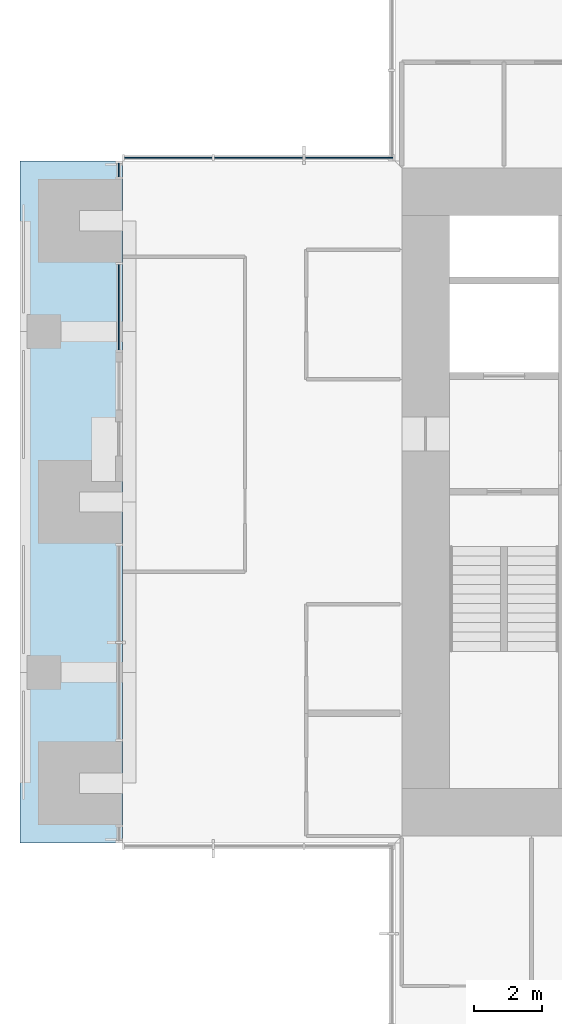
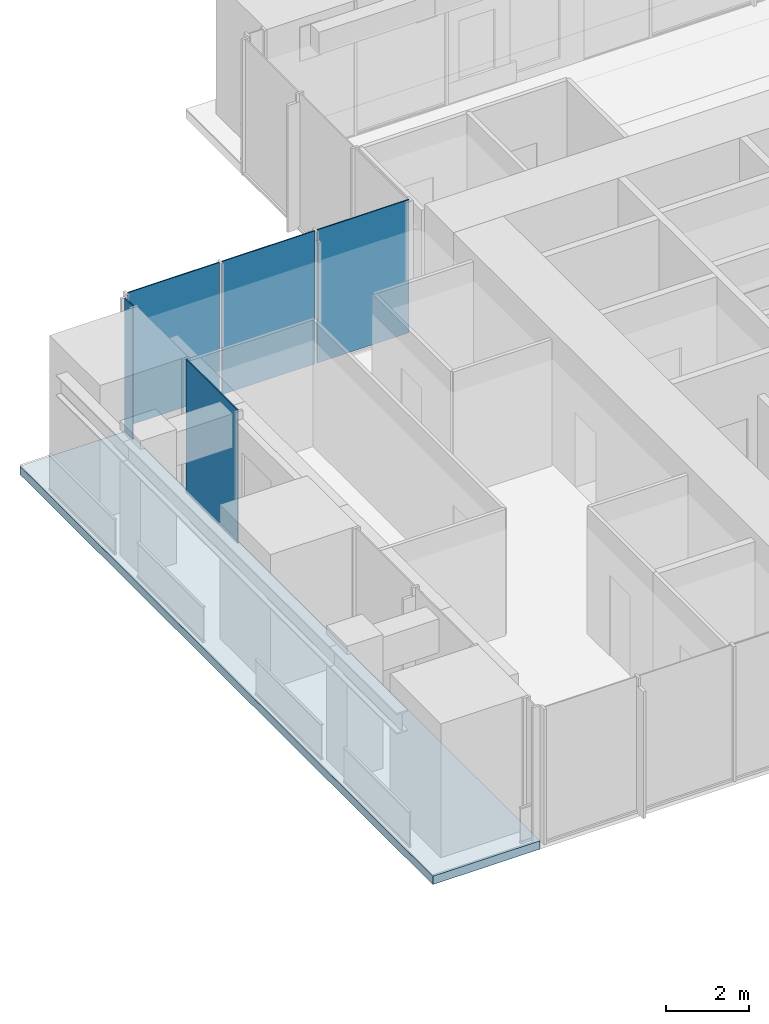
# One storey, part 8 of 17: 5 plates, 1 slab, 3 elements without a shape of their own.
"""IFC4 building model written with IfcOpenShell, lengths in metres."""

from ifc_helpers import new_model, si_unit, direction, frame, origin, origin_2d, place, context, subcontext, project, spatial, polyline, rectangle, outline, extrude, material, layer, layer_set, type_object, element, aggregate, save


model = new_model("IFC4")

# Units and contexts
model_context = context("Model", 3, precision=1e-05, world=origin(), true_north=direction((0.0, 1.0)))
body_context = subcontext(model_context, "Body", "Model", "MODEL_VIEW")
ifc_project = project(units=[si_unit("LENGTHUNIT", "METRE"), si_unit("AREAUNIT", "SQUARE_METRE"), si_unit("VOLUMEUNIT", "CUBIC_METRE"), si_unit("PLANEANGLEUNIT", "RADIAN"), si_unit("MASSUNIT", "GRAM", prefix="KILO")], contexts=[model_context])

# Site, building, storey
site_placement = place(None, origin())
site = spatial("IfcSite", under=ifc_project, at=site_placement, CompositionType="ELEMENT")
building_placement = place(site_placement, origin())
building = spatial("IfcBuilding", under=site, at=building_placement, Name="Svetlomir Tower", CompositionType="ELEMENT")
storey_placement = place(building_placement, frame((0.0, 0.0, 198.5)))
storey = spatial("IfcBuildingStorey", under=building, at=storey_placement, Name="L47", CompositionType="ELEMENT", Elevation=198.5)

# Curtain wall, plates
ifc_material_1 = material(Name="Bronze anodised aluminium curtain wall", Category="aluminium")
curtain_wall_type = type_object("IfcCurtainWallType", Name="CURTAIN WALL CW1 TOWER OFFICE", PredefinedType="NOTDEFINED", material=ifc_material_1)
curtain_wall_1_placement = place(storey_placement, origin())
curtain_wall_1 = element("IfcCurtainWall", 1, at=curtain_wall_1_placement, inside=storey, type_object=curtain_wall_type, Name="Curtain wall CW1 L47", PredefinedType="NOTDEFINED")
ifc_material_2 = material(Name="Tinted double glazed unit", Category="glass")
ifc_layer_1 = layer(ifc_material_2, 0.031982421875)
ifc_layer_set_1 = layer_set([ifc_layer_1], Name="Tinted double glazed unit")
plate_type = type_object("IfcPlateType", Name="CW1 GLAZED PANEL 32", PredefinedType="CURTAIN_PANEL", material=ifc_layer_set_1)
plate_1_placement = place(storey_placement, frame((9.650390625, 31.10009765625, 0.06494140625), z_axis=(0.0, 0.0, 1.0), x_axis=(-1.0, 0.0, 0.0)))
plate_1 = element("IfcPlate", 2, at=plate_1_placement, type_object=plate_type, Name="CW1 panel 1.1", PredefinedType="CURTAIN_PANEL", context=body_context, shape_type="SweptSolid", body=[
    extrude(rectangle(XDim=2.569091796875, YDim=0.031982421875, at=origin_2d()), origin(), (0.0, 0.0, 1.0), 3.93505859375),
])
plate_2_placement = place(storey_placement, frame((7.0, 31.10009765625, 0.06494140625), z_axis=(0.0, 0.0, 1.0), x_axis=(-1.0, 0.0, 0.0)))
plate_2 = element("IfcPlate", 3, at=plate_2_placement, type_object=plate_type, Name="CW1 panel 2.1", PredefinedType="CURTAIN_PANEL", context=body_context, shape_type="SweptSolid", body=[
    extrude(rectangle(XDim=2.6015625, YDim=0.031982421875, at=origin_2d()), origin(), (0.0, 0.0, 1.0), 3.93505859375),
])
plate_3_placement = place(storey_placement, frame((4.349609375, 31.10009765625, 0.06494140625), z_axis=(0.0, 0.0, 1.0), x_axis=(-1.0, 0.0, 0.0)))
plate_3 = element("IfcPlate", 4, at=plate_3_placement, type_object=plate_type, Name="CW1 panel 3.1", PredefinedType="CURTAIN_PANEL", context=body_context, shape_type="SweptSolid", body=[
    extrude(rectangle(XDim=2.569091796875, YDim=0.031982421875, at=origin_2d()), origin(), (0.0, 0.0, 1.0), 3.93505859375),
])
aggregate(curtain_wall_1, [plate_1, plate_2, plate_3])

# Curtain wall, plate
curtain_wall_2_placement = place(storey_placement, origin())
curtain_wall_2 = element("IfcCurtainWall", 5, at=curtain_wall_2_placement, inside=storey, type_object=curtain_wall_type, Name="Curtain wall CW1 L47", PredefinedType="NOTDEFINED")
plate_4_placement = place(storey_placement, frame((2.89990234375, 30.737548828125, 0.06494140625), z_axis=(0.0, 0.0, 1.0), x_axis=(0.0, -1.0, 0.0)))
plate_4 = element("IfcPlate", 6, at=plate_4_placement, type_object=plate_type, Name="CW1 panel 1.1", PredefinedType="CURTAIN_PANEL", context=body_context, shape_type="SweptSolid", body=[
    extrude(rectangle(XDim=0.39501953125, YDim=0.031982421875, at=origin_2d()), origin(), (0.0, 0.0, 1.0), 3.93505859375),
])
aggregate(curtain_wall_2, [plate_4])

curtain_wall_3_placement = place(storey_placement, origin())
curtain_wall_3 = element("IfcCurtainWall", 7, at=curtain_wall_3_placement, inside=storey, type_object=curtain_wall_type, Name="Curtain wall CW1 L47", PredefinedType="NOTDEFINED")
plate_5_placement = place(storey_placement, frame((2.89990234375, 26.71240234375, 0.06494140625), z_axis=(0.0, 0.0, 1.0), x_axis=(0.0, -1.0, 0.0)))
plate_5 = element("IfcPlate", 8, at=plate_5_placement, type_object=plate_type, Name="CW1 panel 1.1", PredefinedType="CURTAIN_PANEL", context=body_context, shape_type="SweptSolid", body=[
    extrude(rectangle(XDim=2.4951171875, YDim=0.031982421875, at=origin_2d()), origin(), (0.0, 0.0, 1.0), 3.93505859375),
])
aggregate(curtain_wall_3, [plate_5])

# Slab
ifc_material_3 = material(Name="Concrete C60/75", Category="concrete")
ifc_layer_2 = layer(ifc_material_3, 0.25)
ifc_layer_set_2 = layer_set([ifc_layer_2], Name="Concrete C60/75")
slab_type = type_object("IfcSlabType", Name="PLANTED LOGGIA SLAB 250", PredefinedType="FLOOR", material=ifc_layer_set_2)
slab_placement = place(storey_placement, frame((0.0, 0.0, -0.25)))
element("IfcSlab", 9, at=slab_placement, inside=storey, type_object=slab_type, Name="L47 W planted loggia", PredefinedType="FLOOR", context=body_context, shape_type="SweptSolid", body=[
    extrude(outline(polyline([(0.0, 11.0), (3.0, 11.0), (3.0, 31.0), (0.0, 31.0), (0.0, 11.0)])), origin(), (0.0, 0.0, 1.0), 0.25),
])

save(model, "model.ifc")
